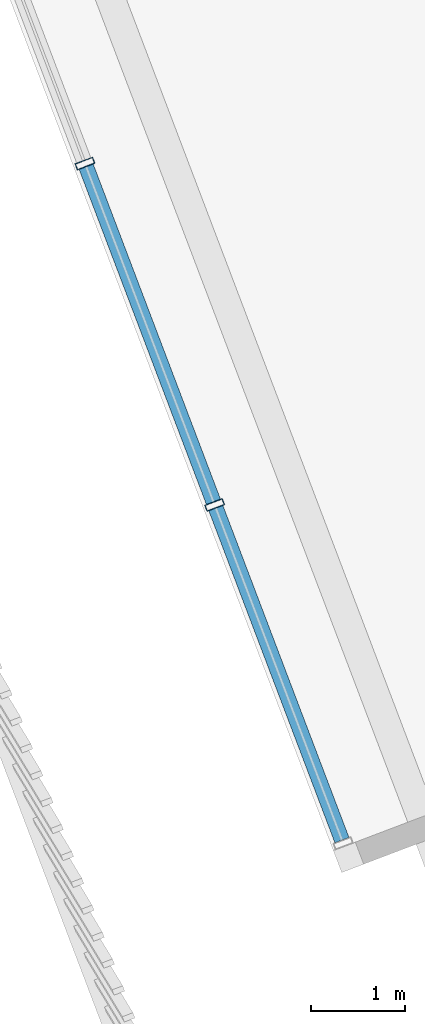
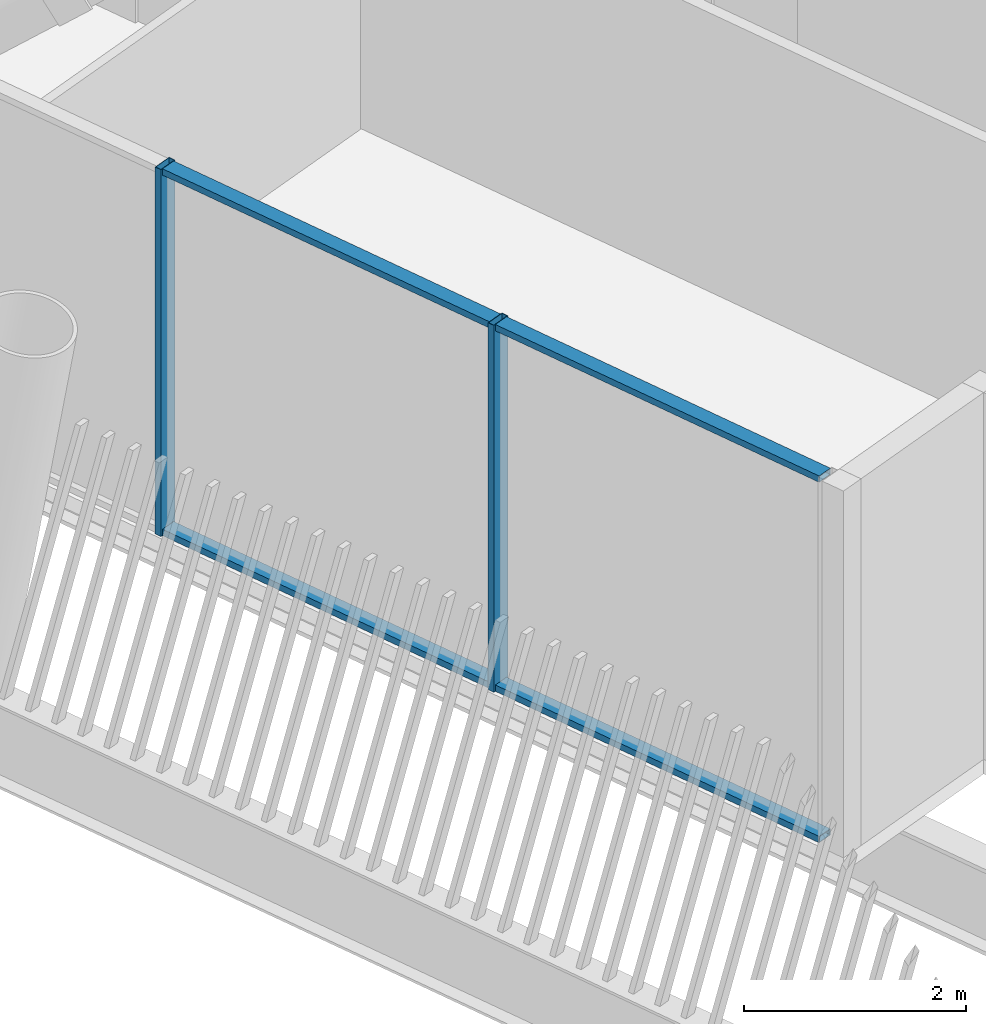
# One storey, part 4 of 33: 6 members, 1 element without a shape of its own.
"""IFC4 building model written with IfcOpenShell, lengths in metres."""

from ifc_helpers import new_model, si_unit, direction, frame, origin, origin_2d, place, context, subcontext, project, spatial, hollow_rectangle, extrude, material, layer, layer_set, material_profile, profile_set, type_object, element, aggregate, save


model = new_model("IFC4")

# Units and contexts
model_context = context("Model", 3, precision=1e-05, world=origin(), true_north=direction((0.0, 1.0)))
body_context = subcontext(model_context, "Body", "Model", "MODEL_VIEW")
ifc_project = project(units=[si_unit("LENGTHUNIT", "METRE"), si_unit("AREAUNIT", "SQUARE_METRE"), si_unit("VOLUMEUNIT", "CUBIC_METRE"), si_unit("PLANEANGLEUNIT", "RADIAN"), si_unit("MASSUNIT", "GRAM", prefix="KILO")], contexts=[model_context])

# Site, building, storey
site_placement = place(None, origin())
site = spatial("IfcSite", under=ifc_project, at=site_placement, CompositionType="ELEMENT")
building_placement = place(site_placement, origin())
building = spatial("IfcBuilding", under=site, at=building_placement, Name="Tarsis Ring Headquarters", CompositionType="ELEMENT")
storey_placement = place(building_placement, frame((0.0, 0.0, 369.199951171875)))
storey = spatial("IfcBuildingStorey", under=building, at=storey_placement, Name="L87", CompositionType="ELEMENT", Elevation=369.199951171875)

# Curtain wall, members
ifc_material_1 = material(Name="Aluminium curtain wall", Category="aluminium")
ifc_layer = layer(ifc_material_1, 0.199951171875)
ifc_layer_set = layer_set([ifc_layer], Name="Curtain wall executive tip")
curtain_wall_type = type_object("IfcCurtainWallType", Name="Curtain wall executive tip", PredefinedType="NOTDEFINED", material=ifc_layer_set)
curtain_wall_placement = place(storey_placement, origin())
curtain_wall = element("IfcCurtainWall", 1, at=curtain_wall_placement, inside=storey, type_object=curtain_wall_type, Name="Curtain wall L87-36", PredefinedType="NOTDEFINED")
ifc_material_2 = material(Name="Aluminium mullion", Category="aluminium")
ifc_material_profile_1 = material_profile(ifc_material_2, hollow_rectangle(XDim=0.199951171875, YDim=0.070068359375, WallThickness=0.0048828125, at=origin_2d()), Name="RHS 200x70x5")
ifc_profile_set_1 = profile_set([ifc_material_profile_1], Name="Aluminium mullion")
member_type_1 = type_object("IfcMemberType", Name="Curtain wall mullion executive tip RHS 200x70x5", PredefinedType="MULLION", material=ifc_profile_set_1)
member_1_placement = place(storey_placement, frame((-37.276123046875, -14.159912109375, 0.0), z_axis=(0.0, 0.0, 1.0), x_axis=(0.934825674754, 0.355106966732, 0.0)))
member_1 = element("IfcMember", 2, at=member_1_placement, type_object=member_type_1, Name="CW-E mullion 3", PredefinedType="MULLION", context=body_context, shape_type="SweptSolid", body=[
    extrude(hollow_rectangle(XDim=0.199951171875, YDim=0.070068359375, WallThickness=0.0048828125, at=origin_2d()), origin(), (0.0, 0.0, 1.0), 4.0400390625),
])
member_2_placement = place(storey_placement, frame((-35.900146484375, -17.7822265625, 0.0), z_axis=(0.0, 0.0, 1.0), x_axis=(0.934825674754, 0.355106966732, 0.0)))
member_2 = element("IfcMember", 3, at=member_2_placement, type_object=member_type_1, Name="CW-E mullion 4", PredefinedType="MULLION", context=body_context, shape_type="SweptSolid", body=[
    extrude(hollow_rectangle(XDim=0.199951171875, YDim=0.070068359375, WallThickness=0.0048828125, at=origin_2d()), origin(), (0.0, 0.0, 1.0), 4.0400390625),
])
ifc_material_3 = material(Name="Aluminium transom", Category="aluminium")
ifc_material_profile_2 = material_profile(ifc_material_3, hollow_rectangle(XDim=0.159912109375, YDim=0.070068359375, WallThickness=0.0048828125, at=origin_2d()), Name="RHS 160x70x5")
ifc_profile_set_2 = profile_set([ifc_material_profile_2], Name="Aluminium transom")
member_type_2 = type_object("IfcMemberType", Name="Curtain wall transom executive tip RHS 160x70x5", PredefinedType="USERDEFINED", material=ifc_profile_set_2)
member_3_placement = place(storey_placement, frame((-37.263671875, -14.192626953125, 0.03515625), z_axis=(0.355093283537, -0.934830872397, 0.0), x_axis=(0.934830872397, 0.355093283537, 0.0)))
member_3 = element("IfcMember", 4, at=member_3_placement, type_object=member_type_2, Name="CW-E transom 3.1", ObjectType="TRANSOM", PredefinedType="USERDEFINED", context=body_context, shape_type="SweptSolid", body=[
    extrude(hollow_rectangle(XDim=0.159912109375, YDim=0.070068359375, WallThickness=0.0048828125, at=origin_2d()), origin(), (0.0, 0.0, 1.0), 3.804931640625),
])
member_4_placement = place(storey_placement, frame((-37.263671875, -14.192626953125, 4.005126953125), z_axis=(0.355093283537, -0.934830872397, 0.0), x_axis=(0.934830872397, 0.355093283537, 0.0)))
member_4 = element("IfcMember", 5, at=member_4_placement, type_object=member_type_2, Name="CW-E transom 3.2", ObjectType="TRANSOM", PredefinedType="USERDEFINED", context=body_context, shape_type="SweptSolid", body=[
    extrude(hollow_rectangle(XDim=0.159912109375, YDim=0.070068359375, WallThickness=0.0048828125, at=origin_2d()), origin(), (0.0, 0.0, 1.0), 3.804931640625),
])
member_5_placement = place(storey_placement, frame((-35.8876953125, -17.81494140625, 0.03515625), z_axis=(0.355066104029, -0.934841196017, 0.0), x_axis=(0.934841196017, 0.355066104029, 0.0)))
member_5 = element("IfcMember", 6, at=member_5_placement, type_object=member_type_2, Name="CW-E transom 4.1", ObjectType="TRANSOM", PredefinedType="USERDEFINED", context=body_context, shape_type="SweptSolid", body=[
    extrude(hollow_rectangle(XDim=0.159912109375, YDim=0.070068359375, WallThickness=0.0048828125, at=origin_2d()), origin(), (0.0, 0.0, 1.0), 3.77001953125),
])
member_6_placement = place(storey_placement, frame((-35.8876953125, -17.81494140625, 4.005126953125), z_axis=(0.355066104029, -0.934841196017, 0.0), x_axis=(0.934841196017, 0.355066104029, 0.0)))
member_6 = element("IfcMember", 7, at=member_6_placement, type_object=member_type_2, Name="CW-E transom 4.2", ObjectType="TRANSOM", PredefinedType="USERDEFINED", context=body_context, shape_type="SweptSolid", body=[
    extrude(hollow_rectangle(XDim=0.159912109375, YDim=0.070068359375, WallThickness=0.0048828125, at=origin_2d()), origin(), (0.0, 0.0, 1.0), 3.77001953125),
])
aggregate(curtain_wall, [member_1, member_2, member_3, member_4, member_5, member_6])

save(model, "model.ifc")
